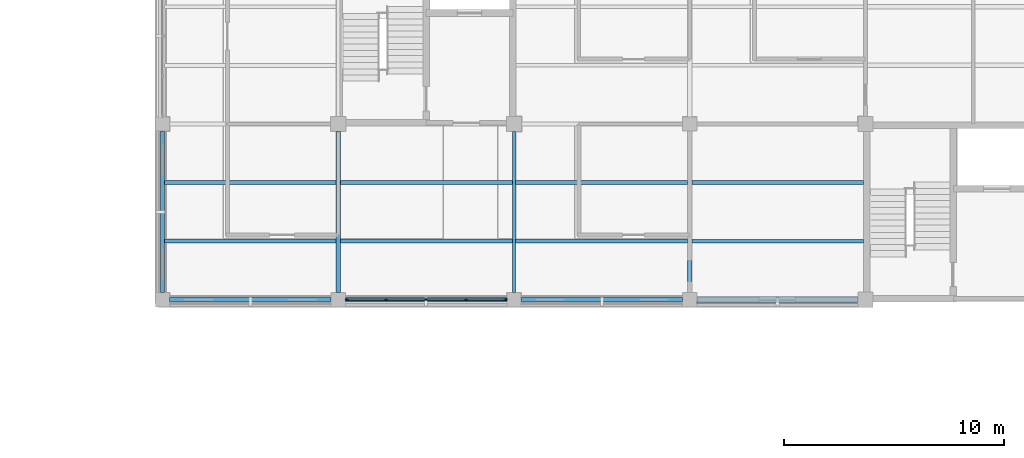
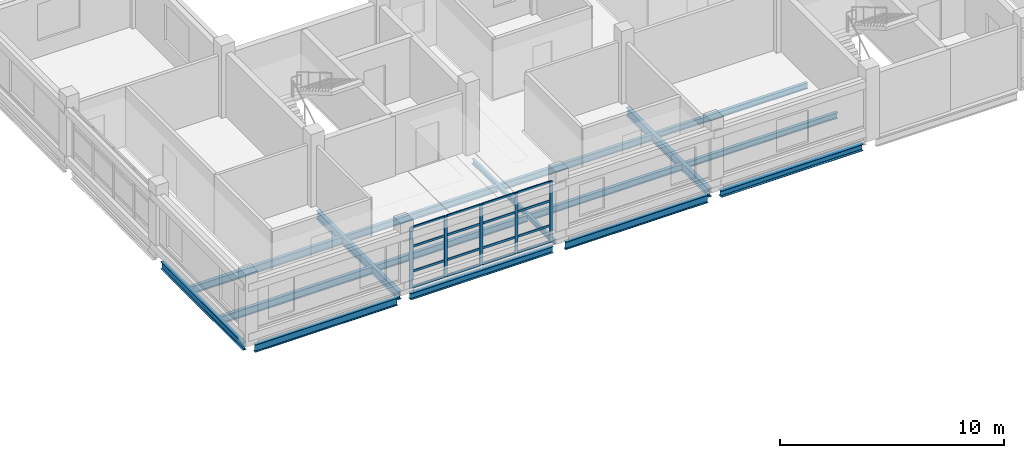
# One storey, part 42 of 92: 21 members, 16 beams, 1 element without a shape of its own.
"""IFC4 building model written with IfcOpenShell, lengths in metres."""

from ifc_helpers import new_model, si_unit, derived_unit, direction, frame, origin, origin_2d, place, context, subcontext, project, spatial, rectangle, i_section, extrude, material, layer, layer_set, material_profile, profile_set, type_object, element, aggregate, save


model = new_model("IFC4")

# Units and contexts
model_context = context("Model", 3, precision=1e-05, world=origin(), true_north=direction((0.0, 1.0)))
body_context = subcontext(model_context, "Body", "Model", "MODEL_VIEW")
ifc_project = project(units=[si_unit("LENGTHUNIT", "METRE"), si_unit("AREAUNIT", "SQUARE_METRE"), si_unit("VOLUMEUNIT", "CUBIC_METRE"), si_unit("PLANEANGLEUNIT", "RADIAN"), si_unit("MASSUNIT", "GRAM", prefix="KILO"), derived_unit("THERMALTRANSMITTANCEUNIT", [(si_unit("MASSUNIT", "GRAM", prefix="KILO"), 1), (si_unit("TIMEUNIT", "SECOND"), -3), (si_unit("THERMODYNAMICTEMPERATUREUNIT", "KELVIN"), -1)])], contexts=[model_context])

# Site, building, storey
site_placement = place(None, origin())
site = spatial("IfcSite", under=ifc_project, at=site_placement, CompositionType="ELEMENT")
building_placement = place(site_placement, origin())
building = spatial("IfcBuilding", under=site, at=building_placement, Name="Veyamyaing Civic Hall", CompositionType="ELEMENT")
storey_placement = place(building_placement, frame((0.0, 0.0, 17.820068359375)))
storey = spatial("IfcBuildingStorey", under=building, at=storey_placement, Name="L04", CompositionType="ELEMENT", Elevation=17.820068359375)

# Beams
ifc_material_1 = material(Name="Steel ASTM A992", Category="steel")
ifc_material_profile_1 = material_profile(ifc_material_1, i_section(OverallWidth=0.19189453125, OverallDepth=0.462890625, WebThickness=0.010498046875, FlangeThickness=0.017578125, FilletRadius=0.010009765625, at=origin_2d()), Name="W460X89")
ifc_profile_set_1 = profile_set([ifc_material_profile_1], Name="Steel ASTM A992")
beam_type_1 = type_object("IfcBeamType", Name="B-08", PredefinedType="BEAM", material=ifc_profile_set_1)
beam_1_placement = place(storey_placement, frame((152.0, 88.324951171875, -0.466552734375), z_axis=(0.0, 1.0, 0.0), x_axis=(-1.0, 0.0, 0.0)))
element("IfcBeam", 1, at=beam_1_placement, inside=storey, type_object=beam_type_1, Name="Girder B-08 L04 Grid 20 M-N", PredefinedType="BEAM", context=body_context, shape_type="SweptSolid", body=[
    extrude(i_section(OverallWidth=0.19189453125, OverallDepth=0.462890625, WebThickness=0.010498046875, FlangeThickness=0.017578125, FilletRadius=0.010009765625, at=origin_2d()), origin(), (0.0, 0.0, 1.0), 7.35009765625),
])
ifc_material_profile_2 = material_profile(ifc_material_1, i_section(OverallWidth=0.18994140625, OverallDepth=0.45703125, WebThickness=0.009033203125, FlangeThickness=0.014404296875, FilletRadius=0.010009765625, at=origin_2d()), Name="W460X74")
ifc_profile_set_2 = profile_set([ifc_material_profile_2], Name="Steel ASTM A992")
beam_type_2 = type_object("IfcBeamType", Name="B-09", PredefinedType="BEAM", material=ifc_profile_set_2)
beam_2_placement = place(storey_placement, frame((136.0, 88.324951171875, -0.463623046875), z_axis=(0.0, 1.0, 0.0), x_axis=(-1.0, 0.0, 0.0)))
element("IfcBeam", 2, at=beam_2_placement, inside=storey, type_object=beam_type_2, Name="Girder B-09 L04 Grid 18 M-N", PredefinedType="BEAM", context=body_context, shape_type="SweptSolid", body=[
    extrude(i_section(OverallWidth=0.18994140625, OverallDepth=0.45703125, WebThickness=0.009033203125, FlangeThickness=0.014404296875, FilletRadius=0.010009765625, at=origin_2d()), origin(), (0.0, 0.0, 1.0), 7.324951171875),
])
ifc_material_profile_3 = material_profile(ifc_material_1, i_section(OverallWidth=0.179931640625, OverallDepth=0.4130859375, WebThickness=0.009765625, FlangeThickness=0.01611328125, FilletRadius=0.010009765625, at=origin_2d()), Name="W410X74")
ifc_profile_set_3 = profile_set([ifc_material_profile_3], Name="Steel ASTM A992")
beam_type_3 = type_object("IfcBeamType", Name="B-10", PredefinedType="SPANDREL", material=ifc_profile_set_3)
for number, where, z_axis, x_axis, name in (
    (3, (128.324951171875, 88.0, -0.441650390625), (1.0, 0.0, 0.0), (0.0, 1.0, 0.0), "Girder B-10 L04 Grid M 17-18"),
    (4, (128.0, 88.324951171875, -0.441650390625), (0.0, 1.0, 0.0), (-1.0, 0.0, 0.0), "Girder B-10 L04 Grid 17 M-N"),
):
    element("IfcBeam", number, at=place(storey_placement, frame(where, z_axis=z_axis, x_axis=x_axis)), inside=storey, type_object=beam_type_3, Name=name, PredefinedType="SPANDREL", context=body_context, shape_type="SweptSolid", body=[
        extrude(i_section(OverallWidth=0.179931640625, OverallDepth=0.4130859375, WebThickness=0.009765625, FlangeThickness=0.01611328125, FilletRadius=0.010009765625, at=origin_2d()), origin(), (0.0, 0.0, 1.0), 7.35009765625),
    ])
ifc_material_profile_4 = material_profile(ifc_material_1, i_section(OverallWidth=0.2041015625, OverallDepth=0.35009765625, WebThickness=0.0078125, FlangeThickness=0.01513671875, FilletRadius=0.010009765625, at=origin_2d()), Name="W360X72")
ifc_profile_set_4 = profile_set([ifc_material_profile_4], Name="Steel ASTM A992")
beam_type_4 = type_object("IfcBeamType", Name="B-11", PredefinedType="SPANDREL", material=ifc_profile_set_4)
beam_3_placement = place(storey_placement, frame((136.324951171875, 88.0, -0.41015625), z_axis=(1.0, 0.0, 0.0), x_axis=(0.0, 1.0, 0.0)))
element("IfcBeam", 5, at=beam_3_placement, inside=storey, type_object=beam_type_4, Name="Girder B-11 L04 Grid M 18-19", PredefinedType="SPANDREL", context=body_context, shape_type="SweptSolid", body=[
    extrude(i_section(OverallWidth=0.2041015625, OverallDepth=0.35009765625, WebThickness=0.0078125, FlangeThickness=0.01513671875, FilletRadius=0.010009765625, at=origin_2d()), origin(), (0.0, 0.0, 1.0), 7.35009765625),
])
ifc_material_profile_5 = material_profile(ifc_material_1, i_section(OverallWidth=0.14599609375, OverallDepth=0.258056640625, WebThickness=0.006103515625, FlangeThickness=0.009033203125, FilletRadius=0.010009765625, at=origin_2d()), Name="W250X33")
ifc_profile_set_5 = profile_set([ifc_material_profile_5], Name="Steel ASTM A992")
beam_type_5 = type_object("IfcBeamType", Name="B-12", PredefinedType="BEAM", material=ifc_profile_set_5)
beam_4_placement = place(storey_placement, frame((144.0, 88.324951171875, -0.364013671875), z_axis=(0.0, 1.0, 0.0), x_axis=(-1.0, 0.0, 0.0)))
element("IfcBeam", 6, at=beam_4_placement, inside=storey, type_object=beam_type_5, Name="Girder B-12 L04 Grid 19 M-N", PredefinedType="BEAM", context=body_context, shape_type="SweptSolid", body=[
    extrude(i_section(OverallWidth=0.14599609375, OverallDepth=0.258056640625, WebThickness=0.006103515625, FlangeThickness=0.009033203125, FilletRadius=0.010009765625, at=origin_2d()), origin(), (0.0, 0.0, 1.0), 7.324951171875),
])
ifc_material_profile_6 = material_profile(ifc_material_1, i_section(OverallWidth=0.180908203125, OverallDepth=0.4169921875, WebThickness=0.010986328125, FlangeThickness=0.018310546875, FilletRadius=0.010009765625, at=origin_2d()), Name="W410X85")
ifc_profile_set_6 = profile_set([ifc_material_profile_6], Name="Steel ASTM A992")
beam_type_6 = type_object("IfcBeamType", Name="B-19", PredefinedType="SPANDREL", material=ifc_profile_set_6)
beam_5_placement = place(storey_placement, frame((144.324951171875, 88.0, -0.443603515625), z_axis=(1.0, 0.0, 0.0), x_axis=(0.0, 1.0, 0.0)))
element("IfcBeam", 7, at=beam_5_placement, inside=storey, type_object=beam_type_6, Name="Girder B-19 L04 Grid M 19-20", PredefinedType="SPANDREL", context=body_context, shape_type="SweptSolid", body=[
    extrude(i_section(OverallWidth=0.180908203125, OverallDepth=0.4169921875, WebThickness=0.010986328125, FlangeThickness=0.018310546875, FilletRadius=0.010009765625, at=origin_2d()), origin(), (0.0, 0.0, 1.0), 7.35009765625),
])
ifc_material_profile_7 = material_profile(ifc_material_1, i_section(OverallWidth=0.25390625, OverallDepth=0.35302734375, WebThickness=0.009521484375, FlangeThickness=0.016357421875, FilletRadius=0.011962890625, at=origin_2d()), Name="W360X91")
ifc_profile_set_7 = profile_set([ifc_material_profile_7], Name="Steel ASTM A992")
beam_type_7 = type_object("IfcBeamType", Name="B-20", PredefinedType="SPANDREL", material=ifc_profile_set_7)
beam_6_placement = place(storey_placement, frame((152.324951171875, 88.0, -0.41162109375), z_axis=(1.0, 0.0, 0.0), x_axis=(0.0, 1.0, 0.0)))
element("IfcBeam", 8, at=beam_6_placement, inside=storey, type_object=beam_type_7, Name="Girder B-20 L04 Grid M 20-21", PredefinedType="SPANDREL", context=body_context, shape_type="SweptSolid", body=[
    extrude(i_section(OverallWidth=0.25390625, OverallDepth=0.35302734375, WebThickness=0.009521484375, FlangeThickness=0.016357421875, FilletRadius=0.011962890625, at=origin_2d()), origin(), (0.0, 0.0, 1.0), 7.324951171875),
])

# Curtain wall, members
ifc_material_2 = material(Name="Anodised aluminium 6063-T6", Category="aluminium")
ifc_layer = layer(ifc_material_2, 0.159912109375, Name="Anodised aluminium 6063-T6")
ifc_layer_set = layer_set([ifc_layer], Name="Anodised aluminium 6063-T6")
curtain_wall_type = type_object("IfcCurtainWallType", Name="CW-08", PredefinedType="NOTDEFINED", material=ifc_layer_set)
curtain_wall_placement = place(storey_placement, origin())
curtain_wall = element("IfcCurtainWall", 9, at=curtain_wall_placement, inside=storey, type_object=curtain_wall_type, Name="Unitized curtain wall CW-08 L04 S 18.12", PredefinedType="NOTDEFINED")
ifc_material_profile_8 = material_profile(ifc_material_2, rectangle(XDim=0.06494140625, YDim=0.159912109375, at=origin_2d()), Name="ALU-MUL-65X160")
ifc_profile_set_8 = profile_set([ifc_material_profile_8], Name="Anodised aluminium 6063-T6")
member_type_1 = type_object("IfcMemberType", Name="CWM-01", PredefinedType="MULLION", material=ifc_profile_set_8)
member_1_placement = place(storey_placement, frame((136.387451171875, 88.0, 0.0), z_axis=(0.0, 0.0, 1.0), x_axis=(0.0, 1.0, 0.0)))
member_1 = element("IfcMember", 10, at=member_1_placement, type_object=member_type_1, Name="CW-08 mullion 1", PredefinedType="MULLION", context=body_context, shape_type="SweptSolid", body=[
    extrude(rectangle(XDim=0.06494140625, YDim=0.159912109375, at=origin_2d()), origin(), (0.0, 0.0, 1.0), 3.309814453125),
])
member_2_placement = place(storey_placement, frame((138.177490234375, 88.0, 0.0), z_axis=(0.0, 0.0, 1.0), x_axis=(0.0, 1.0, 0.0)))
member_2 = element("IfcMember", 11, at=member_2_placement, type_object=member_type_1, Name="CW-08 mullion 2", PredefinedType="MULLION", context=body_context, shape_type="SweptSolid", body=[
    extrude(rectangle(XDim=0.06494140625, YDim=0.159912109375, at=origin_2d()), origin(), (0.0, 0.0, 1.0), 3.309814453125),
])
member_3_placement = place(storey_placement, frame((140.0, 88.0, 0.0), z_axis=(0.0, 0.0, 1.0), x_axis=(0.0, 1.0, 0.0)))
member_3 = element("IfcMember", 12, at=member_3_placement, type_object=member_type_1, Name="CW-08 mullion 3", PredefinedType="MULLION", context=body_context, shape_type="SweptSolid", body=[
    extrude(rectangle(XDim=0.06494140625, YDim=0.159912109375, at=origin_2d()), origin(), (0.0, 0.0, 1.0), 3.309814453125),
])
member_4_placement = place(storey_placement, frame((141.822509765625, 88.0, 0.0), z_axis=(0.0, 0.0, 1.0), x_axis=(0.0, 1.0, 0.0)))
member_4 = element("IfcMember", 13, at=member_4_placement, type_object=member_type_1, Name="CW-08 mullion 4", PredefinedType="MULLION", context=body_context, shape_type="SweptSolid", body=[
    extrude(rectangle(XDim=0.06494140625, YDim=0.159912109375, at=origin_2d()), origin(), (0.0, 0.0, 1.0), 3.309814453125),
])
member_5_placement = place(storey_placement, frame((143.612548828125, 88.0, 0.0), z_axis=(0.0, 0.0, 1.0), x_axis=(0.0, 1.0, 0.0)))
member_5 = element("IfcMember", 14, at=member_5_placement, type_object=member_type_1, Name="CW-08 mullion 5", PredefinedType="MULLION", context=body_context, shape_type="SweptSolid", body=[
    extrude(rectangle(XDim=0.06494140625, YDim=0.159912109375, at=origin_2d()), origin(), (0.0, 0.0, 1.0), 3.309814453125),
])
ifc_material_profile_9 = material_profile(ifc_material_2, rectangle(XDim=0.06494140625, YDim=0.1201171875, at=origin_2d()), Name="ALU-TRN-65X120")
ifc_profile_set_9 = profile_set([ifc_material_profile_9], Name="Anodised aluminium 6063-T6")
member_type_2 = type_object("IfcMemberType", Name="CWT-01", PredefinedType="USERDEFINED", material=ifc_profile_set_9)
member_6_placement = place(storey_placement, frame((136.419921875, 88.0, 0.032470703125), z_axis=(1.0, 0.0, 0.0), x_axis=(0.0, 1.0, 0.0)))
member_6 = element("IfcMember", 15, at=member_6_placement, type_object=member_type_2, Name="CW-08 transom 1.1", ObjectType="TRANSOM", PredefinedType="USERDEFINED", context=body_context, shape_type="SweptSolid", body=[
    extrude(rectangle(XDim=0.06494140625, YDim=0.1201171875, at=origin_2d()), origin(), (0.0, 0.0, 1.0), 1.72509765625),
])
member_7_placement = place(storey_placement, frame((136.419921875, 88.0, 0.89990234375), z_axis=(1.0, 0.0, 0.0), x_axis=(0.0, 1.0, 0.0)))
member_7 = element("IfcMember", 16, at=member_7_placement, type_object=member_type_2, Name="CW-08 transom 1.2", ObjectType="TRANSOM", PredefinedType="USERDEFINED", context=body_context, shape_type="SweptSolid", body=[
    extrude(rectangle(XDim=0.06494140625, YDim=0.1201171875, at=origin_2d()), origin(), (0.0, 0.0, 1.0), 1.72509765625),
])
member_8_placement = place(storey_placement, frame((136.419921875, 88.0, 2.250732421875), z_axis=(1.0, 0.0, 0.0), x_axis=(0.0, 1.0, 0.0)))
member_8 = element("IfcMember", 17, at=member_8_placement, type_object=member_type_2, Name="CW-08 transom 1.3", ObjectType="TRANSOM", PredefinedType="USERDEFINED", context=body_context, shape_type="SweptSolid", body=[
    extrude(rectangle(XDim=0.06494140625, YDim=0.1201171875, at=origin_2d()), origin(), (0.0, 0.0, 1.0), 1.72509765625),
])
member_9_placement = place(storey_placement, frame((136.419921875, 88.0, 3.27734375), z_axis=(1.0, 0.0, 0.0), x_axis=(0.0, 1.0, 0.0)))
member_9 = element("IfcMember", 18, at=member_9_placement, type_object=member_type_2, Name="CW-08 transom 1.4", ObjectType="TRANSOM", PredefinedType="USERDEFINED", context=body_context, shape_type="SweptSolid", body=[
    extrude(rectangle(XDim=0.06494140625, YDim=0.1201171875, at=origin_2d()), origin(), (0.0, 0.0, 1.0), 1.72509765625),
])
member_10_placement = place(storey_placement, frame((138.2099609375, 88.0, 0.032470703125), z_axis=(1.0, 0.0, 0.0), x_axis=(0.0, 1.0, 0.0)))
member_10 = element("IfcMember", 19, at=member_10_placement, type_object=member_type_2, Name="CW-08 transom 2.1", ObjectType="TRANSOM", PredefinedType="USERDEFINED", context=body_context, shape_type="SweptSolid", body=[
    extrude(rectangle(XDim=0.06494140625, YDim=0.1201171875, at=origin_2d()), origin(), (0.0, 0.0, 1.0), 1.757568359375),
])
member_11_placement = place(storey_placement, frame((138.2099609375, 88.0, 0.89990234375), z_axis=(1.0, 0.0, 0.0), x_axis=(0.0, 1.0, 0.0)))
member_11 = element("IfcMember", 20, at=member_11_placement, type_object=member_type_2, Name="CW-08 transom 2.2", ObjectType="TRANSOM", PredefinedType="USERDEFINED", context=body_context, shape_type="SweptSolid", body=[
    extrude(rectangle(XDim=0.06494140625, YDim=0.1201171875, at=origin_2d()), origin(), (0.0, 0.0, 1.0), 1.757568359375),
])
member_12_placement = place(storey_placement, frame((138.2099609375, 88.0, 2.250732421875), z_axis=(1.0, 0.0, 0.0), x_axis=(0.0, 1.0, 0.0)))
member_12 = element("IfcMember", 21, at=member_12_placement, type_object=member_type_2, Name="CW-08 transom 2.3", ObjectType="TRANSOM", PredefinedType="USERDEFINED", context=body_context, shape_type="SweptSolid", body=[
    extrude(rectangle(XDim=0.06494140625, YDim=0.1201171875, at=origin_2d()), origin(), (0.0, 0.0, 1.0), 1.757568359375),
])
member_13_placement = place(storey_placement, frame((138.2099609375, 88.0, 3.27734375), z_axis=(1.0, 0.0, 0.0), x_axis=(0.0, 1.0, 0.0)))
member_13 = element("IfcMember", 22, at=member_13_placement, type_object=member_type_2, Name="CW-08 transom 2.4", ObjectType="TRANSOM", PredefinedType="USERDEFINED", context=body_context, shape_type="SweptSolid", body=[
    extrude(rectangle(XDim=0.06494140625, YDim=0.1201171875, at=origin_2d()), origin(), (0.0, 0.0, 1.0), 1.757568359375),
])
member_14_placement = place(storey_placement, frame((140.032470703125, 88.0, 0.032470703125), z_axis=(1.0, 0.0, 0.0), x_axis=(0.0, 1.0, 0.0)))
member_14 = element("IfcMember", 23, at=member_14_placement, type_object=member_type_2, Name="CW-08 transom 3.1", ObjectType="TRANSOM", PredefinedType="USERDEFINED", context=body_context, shape_type="SweptSolid", body=[
    extrude(rectangle(XDim=0.06494140625, YDim=0.1201171875, at=origin_2d()), origin(), (0.0, 0.0, 1.0), 1.757568359375),
])
member_15_placement = place(storey_placement, frame((140.032470703125, 88.0, 0.89990234375), z_axis=(1.0, 0.0, 0.0), x_axis=(0.0, 1.0, 0.0)))
member_15 = element("IfcMember", 24, at=member_15_placement, type_object=member_type_2, Name="CW-08 transom 3.2", ObjectType="TRANSOM", PredefinedType="USERDEFINED", context=body_context, shape_type="SweptSolid", body=[
    extrude(rectangle(XDim=0.06494140625, YDim=0.1201171875, at=origin_2d()), origin(), (0.0, 0.0, 1.0), 1.757568359375),
])
member_16_placement = place(storey_placement, frame((140.032470703125, 88.0, 2.250732421875), z_axis=(1.0, 0.0, 0.0), x_axis=(0.0, 1.0, 0.0)))
member_16 = element("IfcMember", 25, at=member_16_placement, type_object=member_type_2, Name="CW-08 transom 3.3", ObjectType="TRANSOM", PredefinedType="USERDEFINED", context=body_context, shape_type="SweptSolid", body=[
    extrude(rectangle(XDim=0.06494140625, YDim=0.1201171875, at=origin_2d()), origin(), (0.0, 0.0, 1.0), 1.757568359375),
])
member_17_placement = place(storey_placement, frame((140.032470703125, 88.0, 3.27734375), z_axis=(1.0, 0.0, 0.0), x_axis=(0.0, 1.0, 0.0)))
member_17 = element("IfcMember", 26, at=member_17_placement, type_object=member_type_2, Name="CW-08 transom 3.4", ObjectType="TRANSOM", PredefinedType="USERDEFINED", context=body_context, shape_type="SweptSolid", body=[
    extrude(rectangle(XDim=0.06494140625, YDim=0.1201171875, at=origin_2d()), origin(), (0.0, 0.0, 1.0), 1.757568359375),
])
member_18_placement = place(storey_placement, frame((141.85498046875, 88.0, 0.032470703125), z_axis=(1.0, 0.0, 0.0), x_axis=(0.0, 1.0, 0.0)))
member_18 = element("IfcMember", 27, at=member_18_placement, type_object=member_type_2, Name="CW-08 transom 4.1", ObjectType="TRANSOM", PredefinedType="USERDEFINED", context=body_context, shape_type="SweptSolid", body=[
    extrude(rectangle(XDim=0.06494140625, YDim=0.1201171875, at=origin_2d()), origin(), (0.0, 0.0, 1.0), 1.72509765625),
])
member_19_placement = place(storey_placement, frame((141.85498046875, 88.0, 0.89990234375), z_axis=(1.0, 0.0, 0.0), x_axis=(0.0, 1.0, 0.0)))
member_19 = element("IfcMember", 28, at=member_19_placement, type_object=member_type_2, Name="CW-08 transom 4.2", ObjectType="TRANSOM", PredefinedType="USERDEFINED", context=body_context, shape_type="SweptSolid", body=[
    extrude(rectangle(XDim=0.06494140625, YDim=0.1201171875, at=origin_2d()), origin(), (0.0, 0.0, 1.0), 1.72509765625),
])
member_20_placement = place(storey_placement, frame((141.85498046875, 88.0, 2.250732421875), z_axis=(1.0, 0.0, 0.0), x_axis=(0.0, 1.0, 0.0)))
member_20 = element("IfcMember", 29, at=member_20_placement, type_object=member_type_2, Name="CW-08 transom 4.3", ObjectType="TRANSOM", PredefinedType="USERDEFINED", context=body_context, shape_type="SweptSolid", body=[
    extrude(rectangle(XDim=0.06494140625, YDim=0.1201171875, at=origin_2d()), origin(), (0.0, 0.0, 1.0), 1.72509765625),
])
member_21_placement = place(storey_placement, frame((141.85498046875, 88.0, 3.27734375), z_axis=(1.0, 0.0, 0.0), x_axis=(0.0, 1.0, 0.0)))
member_21 = element("IfcMember", 30, at=member_21_placement, type_object=member_type_2, Name="CW-08 transom 4.4", ObjectType="TRANSOM", PredefinedType="USERDEFINED", context=body_context, shape_type="SweptSolid", body=[
    extrude(rectangle(XDim=0.06494140625, YDim=0.1201171875, at=origin_2d()), origin(), (0.0, 0.0, 1.0), 1.72509765625),
])
aggregate(curtain_wall, [member_1, member_2, member_3, member_4, member_5, member_6, member_7, member_8, member_9, member_10, member_11, member_12, member_13, member_14, member_15, member_16, member_17, member_18, member_19, member_20, member_21])

# Beams
ifc_material_profile_10 = material_profile(ifc_material_1, i_section(OverallWidth=0.177978515625, OverallDepth=0.406982421875, WebThickness=0.0078125, FlangeThickness=0.0126953125, FilletRadius=0.010009765625, at=origin_2d()), Name="W410X60")
ifc_profile_set_10 = profile_set([ifc_material_profile_10], Name="Steel ASTM A992")
beam_type_8 = type_object("IfcBeamType", Name="J-01", PredefinedType="JOIST", material=ifc_profile_set_10)
for number, where, z_axis, x_axis, name in (
    (31, (128.087890625, 90.666748046875, -0.4384765625), (1.0, 0.0, 0.0), (0.0, 1.0, 0.0), "Composite floor joist J-01 L04 17.12.1"),
    (32, (128.087890625, 93.333251953125, -0.4384765625), (1.0, 0.0, 0.0), (0.0, 1.0, 0.0), "Composite floor joist J-01 L04 17.12.2"),
):
    element("IfcBeam", number, at=place(storey_placement, frame(where, z_axis=z_axis, x_axis=x_axis)), inside=storey, type_object=beam_type_8, Name=name, PredefinedType="JOIST", context=body_context, shape_type="SweptSolid", body=[
        extrude(i_section(OverallWidth=0.177978515625, OverallDepth=0.406982421875, WebThickness=0.0078125, FlangeThickness=0.0126953125, FilletRadius=0.010009765625, at=origin_2d()), origin(), (0.0, 0.0, 1.0), 7.819091796875),
    ])
ifc_material_profile_11 = material_profile(ifc_material_1, i_section(OverallWidth=0.172119140625, OverallDepth=0.35791015625, WebThickness=0.0078125, FlangeThickness=0.01318359375, FilletRadius=0.010009765625, at=origin_2d()), Name="W360X57")
ifc_profile_set_11 = profile_set([ifc_material_profile_11], Name="Steel ASTM A992")
beam_type_9 = type_object("IfcBeamType", Name="J-02", PredefinedType="JOIST", material=ifc_profile_set_11)
for number, where, z_axis, x_axis, name in (
    (33, (136.093017578125, 90.666748046875, -0.4140625), (1.0, 0.0, 0.0), (0.0, 1.0, 0.0), "Composite floor joist J-02 L04 18.12.1"),
    (34, (136.093017578125, 93.333251953125, -0.4140625), (1.0, 0.0, 0.0), (0.0, 1.0, 0.0), "Composite floor joist J-02 L04 18.12.2"),
):
    element("IfcBeam", number, at=place(storey_placement, frame(where, z_axis=z_axis, x_axis=x_axis)), inside=storey, type_object=beam_type_9, Name=name, PredefinedType="JOIST", context=body_context, shape_type="SweptSolid", body=[
        extrude(i_section(OverallWidth=0.172119140625, OverallDepth=0.35791015625, WebThickness=0.0078125, FlangeThickness=0.01318359375, FilletRadius=0.010009765625, at=origin_2d()), origin(), (0.0, 0.0, 1.0), 7.8359375),
    ])
ifc_material_profile_12 = material_profile(ifc_material_1, i_section(OverallWidth=0.1708984375, OverallDepth=0.35205078125, WebThickness=0.0068359375, FlangeThickness=0.009765625, FilletRadius=0.010009765625, at=origin_2d()), Name="W360X44")
ifc_profile_set_12 = profile_set([ifc_material_profile_12], Name="Steel ASTM A992")
beam_type_10 = type_object("IfcBeamType", Name="J-03", PredefinedType="JOIST", material=ifc_profile_set_12)
for number, where, z_axis, x_axis, name in (
    (35, (144.071044921875, 90.666748046875, -0.4111328125), (1.0, 0.0, 0.0), (0.0, 1.0, 0.0), "Composite floor joist J-03 L04 19.12.1"),
    (36, (144.071044921875, 93.333251953125, -0.4111328125), (1.0, 0.0, 0.0), (0.0, 1.0, 0.0), "Composite floor joist J-03 L04 19.12.2"),
):
    element("IfcBeam", number, at=place(storey_placement, frame(where, z_axis=z_axis, x_axis=x_axis)), inside=storey, type_object=beam_type_10, Name=name, PredefinedType="JOIST", context=body_context, shape_type="SweptSolid", body=[
        extrude(i_section(OverallWidth=0.1708984375, OverallDepth=0.35205078125, WebThickness=0.0068359375, FlangeThickness=0.009765625, FilletRadius=0.010009765625, at=origin_2d()), origin(), (0.0, 0.0, 1.0), 7.8349609375),
    ])
ifc_material_profile_13 = material_profile(ifc_material_1, i_section(OverallWidth=0.1669921875, OverallDepth=0.318115234375, WebThickness=0.007568359375, FlangeThickness=0.01318359375, FilletRadius=0.010009765625, at=origin_2d()), Name="W310X52")
ifc_profile_set_13 = profile_set([ifc_material_profile_13], Name="Steel ASTM A992")
beam_type_11 = type_object("IfcBeamType", Name="J-04", PredefinedType="JOIST", material=ifc_profile_set_13)
for number, where, z_axis, x_axis, name in (
    (37, (152.093994140625, 90.666748046875, -0.39404296875), (1.0, 0.0, 0.0), (0.0, 1.0, 0.0), "Composite floor joist J-04 L04 20.12.1"),
    (38, (152.093994140625, 93.333251953125, -0.39404296875), (1.0, 0.0, 0.0), (0.0, 1.0, 0.0), "Composite floor joist J-04 L04 20.12.2"),
):
    element("IfcBeam", number, at=place(storey_placement, frame(where, z_axis=z_axis, x_axis=x_axis)), inside=storey, type_object=beam_type_11, Name=name, PredefinedType="JOIST", context=body_context, shape_type="SweptSolid", body=[
        extrude(i_section(OverallWidth=0.1669921875, OverallDepth=0.318115234375, WebThickness=0.007568359375, FlangeThickness=0.01318359375, FilletRadius=0.010009765625, at=origin_2d()), origin(), (0.0, 0.0, 1.0), 7.81298828125),
    ])

save(model, "model.ifc")
